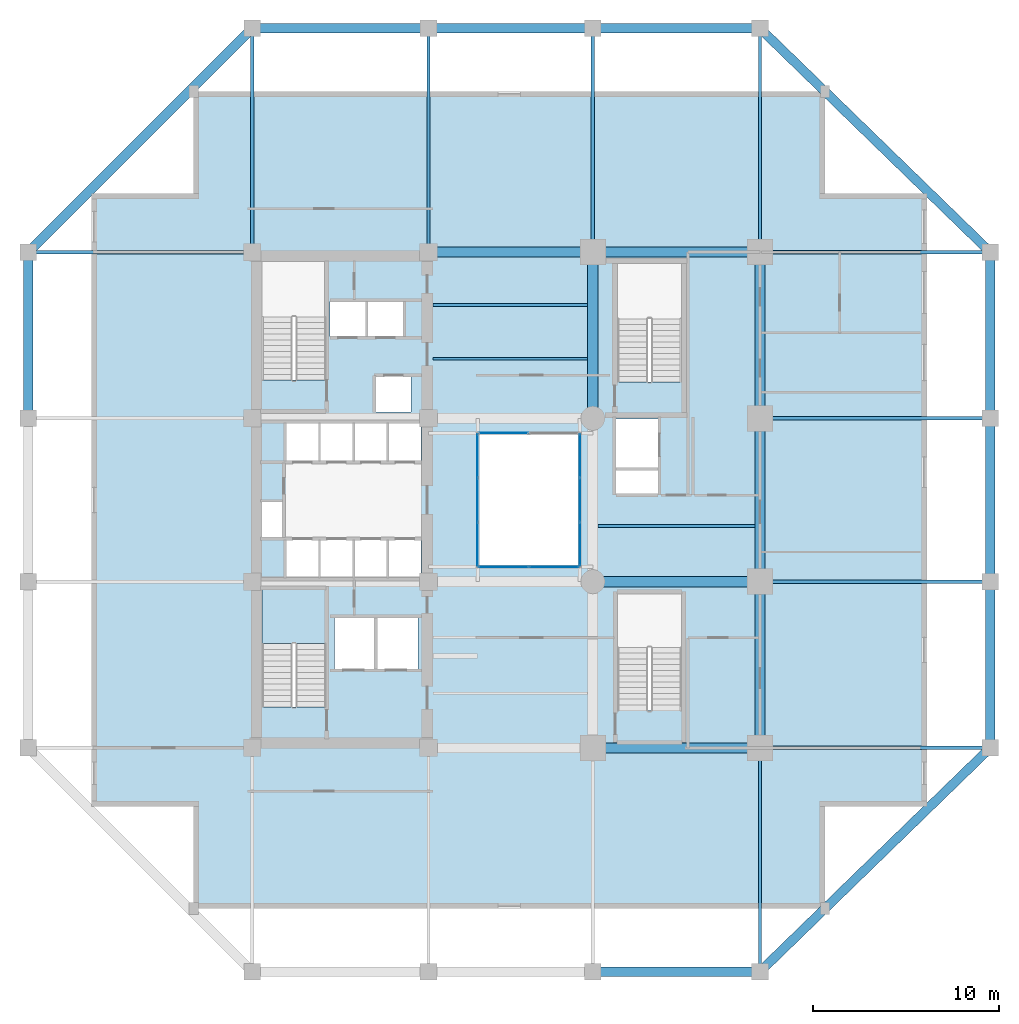
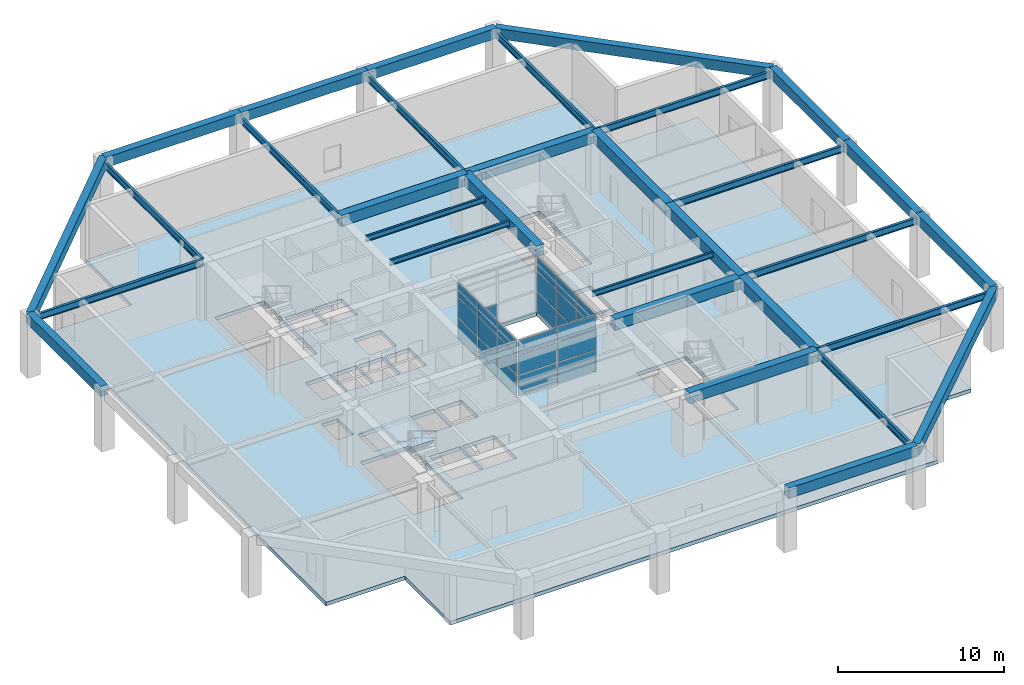
# One storey, part 5 of 10: 32 beams, 25 plates, 2 slabs, 5 elements without a shape of their own.
"""IFC4 building model written with IfcOpenShell, lengths in metres."""

import ifcopenshell
import ifcopenshell.guid

model = None  # the IFC model being written
_history = None  # IfcOwnerHistory: only IFC2X3 demands one
_inside = {}  # id of a spatial element -> (the spatial element, [elements in it])
_under = {}  # id of a project, library or spatial element -> (it, [spatial elements below it])
_declared = {}  # id of a project -> (the project, [libraries it declares])
_typed = {}  # id of a type object -> (the type object, [elements of that type])
_made_of = {}  # id of a material, layer set ... -> (it, [elements and type objects made of it])


def new_model(schema):
    """Start an empty IFC model of exactly this schema.

    Asked for "IFC4X3", IfcOpenShell would pick the latest addendum, in which some entities
    have other attributes; the version numbers below select the first issue.
    IFC2X3 requires an IfcOwnerHistory on every rooted entity: one is made here for all.
    """
    global model, _history
    if schema == "IFC4X3":
        model = ifcopenshell.file(schema_version=(4, 3, 0, 0))
    else:
        model = ifcopenshell.file(schema=schema)
    _inside.clear()
    _under.clear()
    _declared.clear()
    _typed.clear()
    _made_of.clear()
    _history = None
    if model.schema == "IFC2X3":
        org = make("IfcOrganization", Name="unknown")
        user = make(
            "IfcPersonAndOrganization",
            ThePerson=make("IfcPerson", FamilyName="unknown"),
            TheOrganization=org,
        )
        app = make(
            "IfcApplication",
            ApplicationDeveloper=org,
            Version="unknown",
            ApplicationFullName="unknown",
            ApplicationIdentifier="unknown",
        )
        _history = make(
            "IfcOwnerHistory",
            OwningUser=user,
            OwningApplication=app,
            ChangeAction="ADDED",
            CreationDate=0,
        )
    return model


def make(cls, **values):
    """One entity of the class cls with the attributes given. An attribute that is None is left unset."""
    return model.create_entity(
        cls, **{name: value for name, value in values.items() if value is not None}
    )


def rooted(cls, **values):
    """An entity with a GlobalId (a new one), such as an element, a storey or a relation."""
    return make(cls, GlobalId=ifcopenshell.guid.new(), OwnerHistory=_history, **values)


def si_unit(unit_type, name, prefix=None):
    """IfcSIUnit, for example si_unit("LENGTHUNIT", "METRE", prefix="MILLI")."""
    return make("IfcSIUnit", UnitType=unit_type, Prefix=prefix, Name=name)


def assignment(units):
    """IfcUnitAssignment: the units of a project."""
    return None if units is None else make("IfcUnitAssignment", Units=units)


def point(xyz):
    """IfcCartesianPoint."""
    return None if xyz is None else make("IfcCartesianPoint", Coordinates=xyz)


def direction(xyz):
    """IfcDirection."""
    return None if xyz is None else make("IfcDirection", DirectionRatios=xyz)


def frame(location, z_axis=None, x_axis=None):
    """IfcAxis2Placement3D, a coordinate frame: its origin and axes. An axis left out is left unset."""
    return make(
        "IfcAxis2Placement3D",
        Location=point(location),
        Axis=direction(z_axis),
        RefDirection=direction(x_axis),
    )


def frame_2d(location, x_axis=None):
    """IfcAxis2Placement2D, a coordinate frame in the plane: its origin and x axis."""
    return make(
        "IfcAxis2Placement2D", Location=point(location), RefDirection=direction(x_axis)
    )


def origin():
    """The frame at (0, 0, 0) with its axes left unset."""
    return frame((0.0, 0.0, 0.0))


def origin_2d():
    """The frame at (0, 0) in the plane with its x axis left unset."""
    return frame_2d((0.0, 0.0))


def place(relative_to, where):
    """IfcLocalPlacement: puts the frame where relative to a parent placement (None: the world)."""
    return make(
        "IfcLocalPlacement", PlacementRelTo=relative_to, RelativePlacement=where
    )


def context(
    kind, dimensions, precision=None, world=None, true_north=None, identifier=None
):
    """IfcGeometricRepresentationContext, for example the 3D "Model" context."""
    return make(
        "IfcGeometricRepresentationContext",
        ContextIdentifier=identifier,
        ContextType=kind,
        CoordinateSpaceDimension=dimensions,
        Precision=precision,
        WorldCoordinateSystem=world,
        TrueNorth=true_north,
    )


def subcontext(parent, identifier, kind, view, scale=None):
    """IfcGeometricRepresentationSubContext, for example "Body" below "Model"."""
    return make(
        "IfcGeometricRepresentationSubContext",
        ContextIdentifier=identifier,
        ContextType=kind,
        ParentContext=parent,
        TargetScale=scale,
        TargetView=view,
    )


def project(units=None, contexts=None):
    """IfcProject with its units and contexts."""
    return rooted(
        "IfcProject",
        Name="project",
        RepresentationContexts=contexts,
        UnitsInContext=assignment(units),
    )


def spatial(cls, under=None, at=None, **own):
    """A site, building, storey or space (cls), placed at a placement, below another one or the project."""
    s = rooted(cls, ObjectPlacement=at, **own)
    if under is not None:
        _under.setdefault(under.id(), (under, []))[1].append(s)
    return s


def polyline(points):
    """IfcPolyline through the points."""
    return make("IfcPolyline", Points=[point(p) for p in points])


def profile(cls, at=None, kind="AREA", **sizes):
    """A parametric profile (cls). Its sizes go by their IFC names, for example OverallWidth=200.0."""
    return make(cls, ProfileType=kind, Position=at, **sizes)


def rectangle(**sizes):
    """IfcRectangleProfileDef."""
    return profile("IfcRectangleProfileDef", **sizes)


def i_section(**sizes):
    """IfcIShapeProfileDef."""
    return profile("IfcIShapeProfileDef", **sizes)


def outline(outer, holes=None, kind="AREA"):
    """IfcArbitraryClosedProfileDef: a profile drawn as a closed curve; with holes, ...WithVoids."""
    if holes is None:
        return make("IfcArbitraryClosedProfileDef", ProfileType=kind, OuterCurve=outer)
    return make(
        "IfcArbitraryProfileDefWithVoids",
        ProfileType=kind,
        OuterCurve=outer,
        InnerCurves=holes,
    )


def extrude(swept, where, along, depth):
    """IfcExtrudedAreaSolid: the profile swept, set in the frame where, extruded along a direction by depth."""
    return make(
        "IfcExtrudedAreaSolid",
        SweptArea=swept,
        Position=where,
        ExtrudedDirection=direction(along),
        Depth=depth,
    )


def shape(context_of_items, identifier, shape_type, items):
    """IfcShapeRepresentation: the items that make up one representation, for example the "Body"."""
    return make(
        "IfcShapeRepresentation",
        ContextOfItems=context_of_items,
        RepresentationIdentifier=identifier,
        RepresentationType=shape_type,
        Items=items,
    )


def material(Name=None, Category=None):
    """IfcMaterial."""
    return make("IfcMaterial", Name=Name, Category=Category)


def layer(
    of_material, thickness, ventilated=None, Name=None, Category=None, Priority=None
):
    """IfcMaterialLayer: one layer of a wall or slab, of a material (None: an air gap)."""
    return make(
        "IfcMaterialLayer",
        Material=of_material,
        LayerThickness=thickness,
        IsVentilated=ventilated,
        Name=Name,
        Category=Category,
        Priority=Priority,
    )


def layer_set(layers, Name=None):
    """IfcMaterialLayerSet."""
    return make("IfcMaterialLayerSet", MaterialLayers=layers, LayerSetName=Name)


def material_profile(
    of_material, cross_section, Name=None, Category=None, Priority=None
):
    """IfcMaterialProfile: a cross section and its material."""
    return make(
        "IfcMaterialProfile",
        Name=Name,
        Material=of_material,
        Profile=cross_section,
        Priority=Priority,
        Category=Category,
    )


def profile_set(profiles, Name=None, composite=None):
    """IfcMaterialProfileSet."""
    return make(
        "IfcMaterialProfileSet",
        Name=Name,
        MaterialProfiles=profiles,
        CompositeProfile=composite,
    )


def made_of(thing, what):
    """Note that an element or type object is made of a material, layer set ...; save() writes the relation."""
    if what is not None:
        _made_of.setdefault(what.id(), (what, []))[1].append(thing)
    return thing


def type_object(cls, material=None, **own):
    """A type object (cls), such as IfcWallType, which elements share."""
    return made_of(rooted(cls, **own), material)


def element(
    cls,
    number,
    at=None,
    inside=None,
    cuts=None,
    type_object=None,
    material=None,
    context=None,
    identifier="Body",
    shape_type=None,
    held_by="IfcProductDefinitionShape",
    body=None,
    shapes=None,
    **own,
):
    """One element of the class cls, such as IfcWall. Its Tag is "e" and its number.

    at: its placement. inside: the storey or other place that contains it. cuts: it is an
    opening in that element (IfcRelVoidsElement). A single representation is given by context,
    identifier, shape_type and body (its items); several are given by shapes. held_by: the class
    of the entity that holds the representations. save() writes the other relations.
    """
    e = rooted(cls, Tag="e%d" % number, ObjectPlacement=at, **own)
    if body is not None:
        shapes = [shape(context, identifier, shape_type, body)]
    if shapes is not None:
        e.Representation = make(held_by, Representations=shapes)
    if inside is not None:
        _inside.setdefault(inside.id(), (inside, []))[1].append(e)
    if cuts is not None:
        rooted(
            "IfcRelVoidsElement", RelatingBuildingElement=cuts, RelatedOpeningElement=e
        )
    if type_object is not None:
        _typed.setdefault(type_object.id(), (type_object, []))[1].append(e)
    return made_of(e, material)


def aggregate(whole, parts):
    """IfcRelAggregates: a whole, such as a stair, and the parts it consists of."""
    return rooted("IfcRelAggregates", RelatingObject=whole, RelatedObjects=parts)


def save(model, path):
    """Write the relations noted so far, then the file.

    IfcRelAggregates (storeys below a building ...), IfcRelContainedInSpatialStructure (elements
    in a storey), IfcRelDefinesByType, IfcRelAssociatesMaterial and IfcRelDeclares: one each for
    every whole, place, type object, material and project.
    """
    for whole, parts in _under.values():
        aggregate(whole, parts)
    for where, things in _inside.values():
        rooted(
            "IfcRelContainedInSpatialStructure",
            RelatedElements=things,
            RelatingStructure=where,
        )
    for kind, things in _typed.values():
        rooted("IfcRelDefinesByType", RelatedObjects=things, RelatingType=kind)
    for what, things in _made_of.values():
        rooted("IfcRelAssociatesMaterial", RelatedObjects=things, RelatingMaterial=what)
    for by, libraries in _declared.values():
        rooted("IfcRelDeclares", RelatingContext=by, RelatedDefinitions=libraries)
    model.write(path)


model = new_model("IFC4")

# Units and contexts
model_context = context("Model", 3, precision=1e-05, world=origin(), true_north=direction((0.0, 1.0)))
body_context = subcontext(model_context, "Body", "Model", "MODEL_VIEW")
ifc_project = project(units=[si_unit("LENGTHUNIT", "METRE"), si_unit("AREAUNIT", "SQUARE_METRE"), si_unit("VOLUMEUNIT", "CUBIC_METRE"), si_unit("PLANEANGLEUNIT", "RADIAN"), si_unit("MASSUNIT", "GRAM", prefix="KILO")], contexts=[model_context])

# Site, building, storey
site_placement = place(None, origin())
site = spatial("IfcSite", under=ifc_project, at=site_placement, CompositionType="ELEMENT")
building_placement = place(site_placement, origin())
building = spatial("IfcBuilding", under=site, at=building_placement, Name="Kundavana Baori Tower", CompositionType="ELEMENT")
storey_placement = place(building_placement, frame((0.0, 0.0, 12.5)))
storey = spatial("IfcBuildingStorey", under=building, at=storey_placement, Name="L02", CompositionType="ELEMENT", Elevation=12.5)

# Beams
ifc_material_1 = material(Name="Structural Steel S355JR", Category="steel")
ifc_material_profile_1 = material_profile(ifc_material_1, i_section(OverallWidth=0.139892578125, OverallDepth=0.39990234375, WebThickness=0.0087890625, FlangeThickness=0.01611328125, FilletRadius=0.013916015625, at=origin_2d()), Name="ISMB 400")
ifc_profile_set_1 = profile_set([ifc_material_profile_1], Name="Structural Steel S355JR")
beam_type_1 = type_object("IfcBeamType", Name="BM-JST-400", PredefinedType="JOIST", material=ifc_profile_set_1)
for number, where, z_axis, x_axis, name in (
    (1, (25.179931640625, 36.199951171875, 4.02001953125), (1.0, 0.0, 0.0), (0.0, 1.0, 0.0), "L02 Central Bay Composite Floor Joist C3"),
    (2, (25.179931640625, 39.10009765625, 4.02001953125), (1.0, 0.0, 0.0), (0.0, 1.0, 0.0), "L02 Central Bay Composite Floor Joist C4"),
):
    element("IfcBeam", number, at=place(storey_placement, frame(where, z_axis=z_axis, x_axis=x_axis)), inside=storey, type_object=beam_type_1, Name=name, PredefinedType="JOIST", context=body_context, shape_type="SweptSolid", body=[
        extrude(i_section(OverallWidth=0.139892578125, OverallDepth=0.39990234375, WebThickness=0.0087890625, FlangeThickness=0.01611328125, FilletRadius=0.013916015625, at=origin_2d()), origin(), (0.0, 0.0, 1.0), 8.344970703125),
    ])
beam_1_placement = place(storey_placement, frame((34.074951171875, 27.199951171875, 4.02001953125), z_axis=(1.0, 0.0, 0.0), x_axis=(0.0, 1.0, 0.0)))
element("IfcBeam", 3, at=beam_1_placement, inside=storey, type_object=beam_type_1, Name="L02 East Bay Composite Floor Joist E3", PredefinedType="JOIST", context=body_context, shape_type="SweptSolid", body=[
    extrude(i_section(OverallWidth=0.139892578125, OverallDepth=0.39990234375, WebThickness=0.0087890625, FlangeThickness=0.01611328125, FilletRadius=0.013916015625, at=origin_2d()), origin(), (0.0, 0.0, 1.0), 8.449951171875),
])
ifc_material_2 = material(Name="Concrete C50/60", Category="concrete")
ifc_material_profile_2 = material_profile(ifc_material_2, rectangle(XDim=0.5, YDim=0.75, at=origin_2d()), Name="RC BM 500x750")
ifc_profile_set_2 = profile_set([ifc_material_profile_2], Name="Concrete C50/60")
beam_type_2 = type_object("IfcBeamType", Name="BM-PF-750", PredefinedType="SPANDREL", material=ifc_profile_set_2)
beam_2_placement = place(storey_placement, frame((33.800048828125, 3.199951171875, 4.125), z_axis=(1.0, 0.0, 0.0), x_axis=(0.0, 1.0, 0.0)))
element("IfcBeam", 4, at=beam_2_placement, inside=storey, type_object=beam_type_2, Name="L02 Perimeter Frame Ring Beam S3", PredefinedType="SPANDREL", context=body_context, shape_type="SweptSolid", body=[
    extrude(rectangle(XDim=0.5, YDim=0.75, at=origin_2d()), origin(), (0.0, 0.0, 1.0), 9.0),
])
beam_3_placement = place(storey_placement, frame((15.449951171875, 54.0, 4.125), z_axis=(1.0, 0.0, 0.0), x_axis=(0.0, 1.0, 0.0)))
element("IfcBeam", 5, at=beam_3_placement, inside=storey, type_object=beam_type_2, Name="L02 Perimeter Frame Ring Beam N1", PredefinedType="SPANDREL", context=body_context, shape_type="SweptSolid", body=[
    extrude(rectangle(XDim=0.5, YDim=0.75, at=origin_2d()), origin(), (0.0, 0.0, 1.0), 9.5),
])
beam_4_placement = place(storey_placement, frame((24.949951171875, 54.0, 4.125), z_axis=(1.0, 0.0, 0.0), x_axis=(0.0, 1.0, 0.0)))
element("IfcBeam", 6, at=beam_4_placement, inside=storey, type_object=beam_type_2, Name="L02 Perimeter Frame Ring Beam N2", PredefinedType="SPANDREL", context=body_context, shape_type="SweptSolid", body=[
    extrude(rectangle(XDim=0.5, YDim=0.75, at=origin_2d()), origin(), (0.0, 0.0, 1.0), 8.85009765625),
])
beam_5_placement = place(storey_placement, frame((33.800048828125, 54.0, 4.125), z_axis=(1.0, 0.0, 0.0), x_axis=(0.0, 1.0, 0.0)))
element("IfcBeam", 7, at=beam_5_placement, inside=storey, type_object=beam_type_2, Name="L02 Perimeter Frame Ring Beam N3", PredefinedType="SPANDREL", context=body_context, shape_type="SweptSolid", body=[
    extrude(rectangle(XDim=0.5, YDim=0.75, at=origin_2d()), origin(), (0.0, 0.0, 1.0), 9.0),
])
for number, where, z_axis, x_axis, name in (
    (8, (3.39990234375, 33.0, 4.125), (0.0, 1.0, 0.0), (-1.0, 0.0, 0.0), "L02 Perimeter Frame Ring Beam W3"),
    (9, (55.199951171875, 15.25, 4.125), (0.0, 1.0, 0.0), (-1.0, 0.0, 0.0), "L02 Perimeter Frame Ring Beam E1"),
):
    element("IfcBeam", number, at=place(storey_placement, frame(where, z_axis=z_axis, x_axis=x_axis)), inside=storey, type_object=beam_type_2, Name=name, PredefinedType="SPANDREL", context=body_context, shape_type="SweptSolid", body=[
        extrude(rectangle(XDim=0.5, YDim=0.75, at=origin_2d()), origin(), (0.0, 0.0, 1.0), 8.949951171875),
    ])
beam_6_placement = place(storey_placement, frame((55.199951171875, 24.199951171875, 4.125), z_axis=(0.0, 1.0, 0.0), x_axis=(-1.0, 0.0, 0.0)))
element("IfcBeam", 10, at=beam_6_placement, inside=storey, type_object=beam_type_2, Name="L02 Perimeter Frame Ring Beam E2", PredefinedType="SPANDREL", context=body_context, shape_type="SweptSolid", body=[
    extrude(rectangle(XDim=0.5, YDim=0.75, at=origin_2d()), origin(), (0.0, 0.0, 1.0), 8.800048828125),
])
beam_7_placement = place(storey_placement, frame((55.199951171875, 33.0, 4.125), z_axis=(0.0, 1.0, 0.0), x_axis=(-1.0, 0.0, 0.0)))
element("IfcBeam", 11, at=beam_7_placement, inside=storey, type_object=beam_type_2, Name="L02 Perimeter Frame Ring Beam E3", PredefinedType="SPANDREL", context=body_context, shape_type="SweptSolid", body=[
    extrude(rectangle(XDim=0.5, YDim=0.75, at=origin_2d()), origin(), (0.0, 0.0, 1.0), 8.949951171875),
])
beam_8_placement = place(storey_placement, frame((42.800048828125, 3.199951171875, 4.125), z_axis=(0.717151334594, 0.696917472367, 0.0), x_axis=(-0.696917472367, 0.717151334594, 0.0)))
element("IfcBeam", 12, at=beam_8_placement, inside=storey, type_object=beam_type_2, Name="L02 Notched Corner Perimeter Beam SE", PredefinedType="SPANDREL", context=body_context, shape_type="SweptSolid", body=[
    extrude(rectangle(XDim=0.5, YDim=0.75, at=origin_2d()), origin(), (0.0, 0.0, 1.0), 17.29052734375),
])
beam_9_placement = place(storey_placement, frame((15.449951171875, 54.0, 4.125), z_axis=(-0.707106781187, -0.707106781187, 0.0), x_axis=(0.707106781187, -0.707106781187, 0.0)))
element("IfcBeam", 13, at=beam_9_placement, inside=storey, type_object=beam_type_2, Name="L02 Notched Corner Perimeter Beam NW", PredefinedType="SPANDREL", context=body_context, shape_type="SweptSolid", body=[
    extrude(rectangle(XDim=0.5, YDim=0.75, at=origin_2d()), origin(), (0.0, 0.0, 1.0), 17.041259765625),
])
beam_10_placement = place(storey_placement, frame((42.800048828125, 54.0, 4.125), z_axis=(0.717151334594, -0.696917472367, 0.0), x_axis=(0.696917472367, 0.717151334594, 0.0)))
element("IfcBeam", 14, at=beam_10_placement, inside=storey, type_object=beam_type_2, Name="L02 Notched Corner Perimeter Beam NE", PredefinedType="SPANDREL", context=body_context, shape_type="SweptSolid", body=[
    extrude(rectangle(XDim=0.5, YDim=0.75, at=origin_2d()), origin(), (0.0, 0.0, 1.0), 17.29052734375),
])
ifc_material_3 = material(Name="Concrete C50/60", Category="concrete")
ifc_material_profile_3 = material_profile(ifc_material_3, rectangle(XDim=0.550048828125, YDim=0.800048828125, at=origin_2d()), Name="RC BM 550x800")
ifc_profile_set_3 = profile_set([ifc_material_profile_3], Name="Concrete C50/60")
beam_type_3 = type_object("IfcBeamType", Name="BM-RC-800", PredefinedType="BEAM", material=ifc_profile_set_3)
for number, where, z_axis, x_axis, name in (
    (15, (33.800048828125, 15.25, 3.820068359375), (1.0, 0.0, 0.0), (0.0, 1.0, 0.0), "L02 Primary Grid Girder GX-1-3"),
    (16, (33.800048828125, 24.199951171875, 3.820068359375), (1.0, 0.0, 0.0), (0.0, 1.0, 0.0), "L02 Primary Grid Girder GX-2-3"),
):
    element("IfcBeam", number, at=place(storey_placement, frame(where, z_axis=z_axis, x_axis=x_axis)), inside=storey, type_object=beam_type_3, Name=name, PredefinedType="BEAM", context=body_context, shape_type="SweptSolid", body=[
        extrude(rectangle(XDim=0.550048828125, YDim=0.800048828125, at=origin_2d()), origin(), (0.0, 0.0, 1.0), 9.0),
    ])
beam_11_placement = place(storey_placement, frame((24.949951171875, 41.949951171875, 3.820068359375), z_axis=(1.0, 0.0, 0.0), x_axis=(0.0, 1.0, 0.0)))
element("IfcBeam", 17, at=beam_11_placement, inside=storey, type_object=beam_type_3, Name="L02 Primary Grid Girder GX-4-2", PredefinedType="BEAM", context=body_context, shape_type="SweptSolid", body=[
    extrude(rectangle(XDim=0.550048828125, YDim=0.800048828125, at=origin_2d()), origin(), (0.0, 0.0, 1.0), 8.85009765625),
])
beam_12_placement = place(storey_placement, frame((33.800048828125, 41.949951171875, 3.820068359375), z_axis=(1.0, 0.0, 0.0), x_axis=(0.0, 1.0, 0.0)))
element("IfcBeam", 18, at=beam_12_placement, inside=storey, type_object=beam_type_3, Name="L02 Primary Grid Girder GX-4-3", PredefinedType="BEAM", context=body_context, shape_type="SweptSolid", body=[
    extrude(rectangle(XDim=0.550048828125, YDim=0.800048828125, at=origin_2d()), origin(), (0.0, 0.0, 1.0), 9.0),
])
for number, where, z_axis, x_axis, name in (
    (19, (33.800048828125, 33.0, 3.820068359375), (0.0, 1.0, 0.0), (-1.0, 0.0, 0.0), "L02 Primary Grid Girder GY-3-3"),
    (20, (42.800048828125, 15.25, 3.820068359375), (0.0, 1.0, 0.0), (-1.0, 0.0, 0.0), "L02 Primary Grid Girder GY-4-1"),
):
    element("IfcBeam", number, at=place(storey_placement, frame(where, z_axis=z_axis, x_axis=x_axis)), inside=storey, type_object=beam_type_3, Name=name, PredefinedType="BEAM", context=body_context, shape_type="SweptSolid", body=[
        extrude(rectangle(XDim=0.550048828125, YDim=0.800048828125, at=origin_2d()), origin(), (0.0, 0.0, 1.0), 8.949951171875),
    ])
beam_13_placement = place(storey_placement, frame((42.800048828125, 24.199951171875, 3.820068359375), z_axis=(0.0, 1.0, 0.0), x_axis=(-1.0, 0.0, 0.0)))
element("IfcBeam", 21, at=beam_13_placement, inside=storey, type_object=beam_type_3, Name="L02 Primary Grid Girder GY-4-2", PredefinedType="BEAM", context=body_context, shape_type="SweptSolid", body=[
    extrude(rectangle(XDim=0.550048828125, YDim=0.800048828125, at=origin_2d()), origin(), (0.0, 0.0, 1.0), 8.800048828125),
])
beam_14_placement = place(storey_placement, frame((42.800048828125, 33.0, 3.820068359375), z_axis=(0.0, 1.0, 0.0), x_axis=(-1.0, 0.0, 0.0)))
element("IfcBeam", 22, at=beam_14_placement, inside=storey, type_object=beam_type_3, Name="L02 Primary Grid Girder GY-4-3", PredefinedType="BEAM", context=body_context, shape_type="SweptSolid", body=[
    extrude(rectangle(XDim=0.550048828125, YDim=0.800048828125, at=origin_2d()), origin(), (0.0, 0.0, 1.0), 8.949951171875),
])
ifc_material_4 = material(Name="Structural Steel S355JR", Category="steel")
ifc_material_profile_4 = material_profile(ifc_material_4, i_section(OverallWidth=0.179931640625, OverallDepth=0.5, WebThickness=0.01025390625, FlangeThickness=0.01708984375, FilletRadius=0.01708984375, at=origin_2d()), Name="ISMB 500")
ifc_profile_set_4 = profile_set([ifc_material_profile_4], Name="Structural Steel S355JR")
beam_type_4 = type_object("IfcBeamType", Name="BM-TIE-500", PredefinedType="BEAM", material=ifc_profile_set_4)
for number, where, z_axis, x_axis, name in (
    (23, (15.449951171875, 41.949951171875, 3.969970703125), (0.0, 1.0, 0.0), (-1.0, 0.0, 0.0), "L02 North Radial Loggia Tie Beam N1"),
    (24, (24.949951171875, 41.949951171875, 3.969970703125), (0.0, 1.0, 0.0), (-1.0, 0.0, 0.0), "L02 North Radial Loggia Tie Beam N2"),
    (25, (33.800048828125, 41.949951171875, 3.969970703125), (0.0, 1.0, 0.0), (-1.0, 0.0, 0.0), "L02 North Radial Loggia Tie Beam N3"),
    (26, (42.800048828125, 15.25, 3.969970703125), (0.0, -1.0, 0.0), (1.0, 0.0, 0.0), "L02 South Radial Loggia Tie Beam S4"),
    (27, (42.800048828125, 41.949951171875, 3.969970703125), (0.0, 1.0, 0.0), (-1.0, 0.0, 0.0), "L02 North Radial Loggia Tie Beam N4"),
):
    element("IfcBeam", number, at=place(storey_placement, frame(where, z_axis=z_axis, x_axis=x_axis)), inside=storey, type_object=beam_type_4, Name=name, PredefinedType="BEAM", context=body_context, shape_type="SweptSolid", body=[
        extrude(i_section(OverallWidth=0.179931640625, OverallDepth=0.5, WebThickness=0.01025390625, FlangeThickness=0.01708984375, FilletRadius=0.01708984375, at=origin_2d()), origin(), (0.0, 0.0, 1.0), 12.050048828125),
    ])
for number, where, z_axis, x_axis, name in (
    (28, (42.800048828125, 15.25, 3.969970703125), (1.0, 0.0, 0.0), (0.0, 1.0, 0.0), "L02 East Radial Loggia Tie Beam E1"),
    (29, (42.800048828125, 24.199951171875, 3.969970703125), (1.0, 0.0, 0.0), (0.0, 1.0, 0.0), "L02 East Radial Loggia Tie Beam E2"),
    (30, (42.800048828125, 33.0, 3.969970703125), (1.0, 0.0, 0.0), (0.0, 1.0, 0.0), "L02 East Radial Loggia Tie Beam E3"),
):
    element("IfcBeam", number, at=place(storey_placement, frame(where, z_axis=z_axis, x_axis=x_axis)), inside=storey, type_object=beam_type_4, Name=name, PredefinedType="BEAM", context=body_context, shape_type="SweptSolid", body=[
        extrude(i_section(OverallWidth=0.179931640625, OverallDepth=0.5, WebThickness=0.01025390625, FlangeThickness=0.01708984375, FilletRadius=0.01708984375, at=origin_2d()), origin(), (0.0, 0.0, 1.0), 12.39990234375),
    ])
beam_15_placement = place(storey_placement, frame((15.449951171875, 41.949951171875, 3.969970703125), z_axis=(-1.0, 0.0, 0.0), x_axis=(0.0, -1.0, 0.0)))
element("IfcBeam", 31, at=beam_15_placement, inside=storey, type_object=beam_type_4, Name="L02 West Radial Loggia Tie Beam W4", PredefinedType="BEAM", context=body_context, shape_type="SweptSolid", body=[
    extrude(i_section(OverallWidth=0.179931640625, OverallDepth=0.5, WebThickness=0.01025390625, FlangeThickness=0.01708984375, FilletRadius=0.01708984375, at=origin_2d()), origin(), (0.0, 0.0, 1.0), 12.050048828125),
])
beam_16_placement = place(storey_placement, frame((42.800048828125, 41.949951171875, 3.969970703125), z_axis=(1.0, 0.0, 0.0), x_axis=(0.0, 1.0, 0.0)))
element("IfcBeam", 32, at=beam_16_placement, inside=storey, type_object=beam_type_4, Name="L02 East Radial Loggia Tie Beam E4", PredefinedType="BEAM", context=body_context, shape_type="SweptSolid", body=[
    extrude(i_section(OverallWidth=0.179931640625, OverallDepth=0.5, WebThickness=0.01025390625, FlangeThickness=0.01708984375, FilletRadius=0.01708984375, at=origin_2d()), origin(), (0.0, 0.0, 1.0), 12.39990234375),
])

# Curtain wall, plates
ifc_material_5 = material(Name="Thermally Broken Anodised Aluminium Framing", Category="aluminium")
ifc_layer_1 = layer(ifc_material_5, 0.159912109375, Name="CW-SYS-1")
ifc_layer_set_1 = layer_set([ifc_layer_1], Name="Thermally Broken Anodised Aluminium Framing")
curtain_wall_type = type_object("IfcCurtainWallType", Name="CW-SYS-1", PredefinedType="NOTDEFINED", material=ifc_layer_set_1)
curtain_wall_1_placement = place(storey_placement, origin())
curtain_wall_1 = element("IfcCurtainWall", 33, at=curtain_wall_1_placement, inside=storey, type_object=curtain_wall_type, Name="L02 Atrium Glazed Curtain Wall S", PredefinedType="NOTDEFINED")
ifc_material_6 = material(Name="Double-Glazed Solar-Control Low-E Insulated Glass", Category="glass")
ifc_layer_2 = layer(ifc_material_6, 0.028076171875, Name="CW-PNL-GLS28")
ifc_layer_set_2 = layer_set([ifc_layer_2], Name="Double-Glazed Solar-Control Low-E Insulated Glass")
plate_type = type_object("IfcPlateType", Name="CW-PNL-GLS28", PredefinedType="CURTAIN_PANEL", material=ifc_layer_set_2)
plate_1_placement = place(storey_placement, frame((28.9912109375, 25.0, 0.06494140625), z_axis=(0.0, 0.0, 1.0), x_axis=(1.0, 0.0, 0.0)))
plate_1 = element("IfcPlate", 34, at=plate_1_placement, type_object=plate_type, Name="CW1 panel 1.1", PredefinedType="CURTAIN_PANEL", context=body_context, shape_type="SweptSolid", body=[
    extrude(rectangle(XDim=2.652587890625, YDim=0.028076171875, at=origin_2d()), origin(), (0.0, 0.0, 1.0), 1.506103515625),
])
plate_2_placement = place(storey_placement, frame((28.9912109375, 25.0, 1.63623046875), z_axis=(0.0, 0.0, 1.0), x_axis=(1.0, 0.0, 0.0)))
plate_2 = element("IfcPlate", 35, at=plate_2_placement, type_object=plate_type, Name="CW1 panel 1.2", PredefinedType="CURTAIN_PANEL", context=body_context, shape_type="SweptSolid", body=[
    extrude(rectangle(XDim=2.652587890625, YDim=0.028076171875, at=origin_2d()), origin(), (0.0, 0.0, 1.0), 1.4541015625),
])
plate_3_placement = place(storey_placement, frame((28.9912109375, 25.0, 3.1552734375), z_axis=(0.0, 0.0, 1.0), x_axis=(1.0, 0.0, 0.0)))
plate_3 = element("IfcPlate", 36, at=plate_3_placement, type_object=plate_type, Name="CW1 panel 1.3", PredefinedType="CURTAIN_PANEL", context=body_context, shape_type="SweptSolid", body=[
    extrude(rectangle(XDim=2.652587890625, YDim=0.028076171875, at=origin_2d()), origin(), (0.0, 0.0, 1.0), 0.999755859375),
])
plate_4_placement = place(storey_placement, frame((31.708740234375, 25.0, 0.06494140625), z_axis=(0.0, 0.0, 1.0), x_axis=(1.0, 0.0, 0.0)))
plate_4 = element("IfcPlate", 37, at=plate_4_placement, type_object=plate_type, Name="CW1 panel 2.1", PredefinedType="CURTAIN_PANEL", context=body_context, shape_type="SweptSolid", body=[
    extrude(rectangle(XDim=2.652587890625, YDim=0.028076171875, at=origin_2d()), origin(), (0.0, 0.0, 1.0), 1.506103515625),
])
plate_5_placement = place(storey_placement, frame((31.708740234375, 25.0, 1.63623046875), z_axis=(0.0, 0.0, 1.0), x_axis=(1.0, 0.0, 0.0)))
plate_5 = element("IfcPlate", 38, at=plate_5_placement, type_object=plate_type, Name="CW1 panel 2.2", PredefinedType="CURTAIN_PANEL", context=body_context, shape_type="SweptSolid", body=[
    extrude(rectangle(XDim=2.652587890625, YDim=0.028076171875, at=origin_2d()), origin(), (0.0, 0.0, 1.0), 1.4541015625),
])
plate_6_placement = place(storey_placement, frame((31.708740234375, 25.0, 3.1552734375), z_axis=(0.0, 0.0, 1.0), x_axis=(1.0, 0.0, 0.0)))
plate_6 = element("IfcPlate", 39, at=plate_6_placement, type_object=plate_type, Name="CW1 panel 2.3", PredefinedType="CURTAIN_PANEL", context=body_context, shape_type="SweptSolid", body=[
    extrude(rectangle(XDim=2.652587890625, YDim=0.028076171875, at=origin_2d()), origin(), (0.0, 0.0, 1.0), 0.999755859375),
])
aggregate(curtain_wall_1, [plate_1, plate_2, plate_3, plate_4, plate_5, plate_6])

curtain_wall_2_placement = place(storey_placement, origin())
curtain_wall_2 = element("IfcCurtainWall", 40, at=curtain_wall_2_placement, inside=storey, type_object=curtain_wall_type, Name="L02 Atrium Glazed Curtain Wall E", PredefinedType="NOTDEFINED")
plate_7_placement = place(storey_placement, frame((33.10009765625, 26.21630859375, 0.06494140625), z_axis=(0.0, 0.0, 1.0), x_axis=(0.0, 1.0, 0.0)))
plate_7 = element("IfcPlate", 41, at=plate_7_placement, type_object=plate_type, Name="CW1 panel 1.1", PredefinedType="CURTAIN_PANEL", context=body_context, shape_type="SweptSolid", body=[
    extrude(rectangle(XDim=2.302490234375, YDim=0.028076171875, at=origin_2d()), origin(), (0.0, 0.0, 1.0), 1.506103515625),
])
plate_8_placement = place(storey_placement, frame((33.10009765625, 26.21630859375, 1.63623046875), z_axis=(0.0, 0.0, 1.0), x_axis=(0.0, 1.0, 0.0)))
plate_8 = element("IfcPlate", 42, at=plate_8_placement, type_object=plate_type, Name="CW1 panel 1.2", PredefinedType="CURTAIN_PANEL", context=body_context, shape_type="SweptSolid", body=[
    extrude(rectangle(XDim=2.302490234375, YDim=0.028076171875, at=origin_2d()), origin(), (0.0, 0.0, 1.0), 1.4541015625),
])
plate_9_placement = place(storey_placement, frame((33.10009765625, 26.21630859375, 3.1552734375), z_axis=(0.0, 0.0, 1.0), x_axis=(0.0, 1.0, 0.0)))
plate_9 = element("IfcPlate", 43, at=plate_9_placement, type_object=plate_type, Name="CW1 panel 1.3", PredefinedType="CURTAIN_PANEL", context=body_context, shape_type="SweptSolid", body=[
    extrude(rectangle(XDim=2.302490234375, YDim=0.028076171875, at=origin_2d()), origin(), (0.0, 0.0, 1.0), 0.999755859375),
])
plate_10_placement = place(storey_placement, frame((33.10009765625, 28.60009765625, 0.06494140625), z_axis=(0.0, 0.0, 1.0), x_axis=(0.0, 1.0, 0.0)))
plate_10 = element("IfcPlate", 44, at=plate_10_placement, type_object=plate_type, Name="CW1 panel 2.1", PredefinedType="CURTAIN_PANEL", context=body_context, shape_type="SweptSolid", body=[
    extrude(rectangle(XDim=2.3349609375, YDim=0.028076171875, at=origin_2d()), origin(), (0.0, 0.0, 1.0), 1.506103515625),
])
plate_11_placement = place(storey_placement, frame((33.10009765625, 28.60009765625, 1.63623046875), z_axis=(0.0, 0.0, 1.0), x_axis=(0.0, 1.0, 0.0)))
plate_11 = element("IfcPlate", 45, at=plate_11_placement, type_object=plate_type, Name="CW1 panel 2.2", PredefinedType="CURTAIN_PANEL", context=body_context, shape_type="SweptSolid", body=[
    extrude(rectangle(XDim=2.3349609375, YDim=0.028076171875, at=origin_2d()), origin(), (0.0, 0.0, 1.0), 1.4541015625),
])
plate_12_placement = place(storey_placement, frame((33.10009765625, 28.60009765625, 3.1552734375), z_axis=(0.0, 0.0, 1.0), x_axis=(0.0, 1.0, 0.0)))
plate_12 = element("IfcPlate", 46, at=plate_12_placement, type_object=plate_type, Name="CW1 panel 2.3", PredefinedType="CURTAIN_PANEL", context=body_context, shape_type="SweptSolid", body=[
    extrude(rectangle(XDim=2.3349609375, YDim=0.028076171875, at=origin_2d()), origin(), (0.0, 0.0, 1.0), 0.999755859375),
])
plate_13_placement = place(storey_placement, frame((33.10009765625, 30.983642578125, 0.06494140625), z_axis=(0.0, 0.0, 1.0), x_axis=(0.0, 1.0, 0.0)))
plate_13 = element("IfcPlate", 47, at=plate_13_placement, type_object=plate_type, Name="CW1 panel 3.1", PredefinedType="CURTAIN_PANEL", context=body_context, shape_type="SweptSolid", body=[
    extrude(rectangle(XDim=2.302490234375, YDim=0.028076171875, at=origin_2d()), origin(), (0.0, 0.0, 1.0), 1.506103515625),
])
plate_14_placement = place(storey_placement, frame((33.10009765625, 30.983642578125, 1.63623046875), z_axis=(0.0, 0.0, 1.0), x_axis=(0.0, 1.0, 0.0)))
plate_14 = element("IfcPlate", 48, at=plate_14_placement, type_object=plate_type, Name="CW1 panel 3.2", PredefinedType="CURTAIN_PANEL", context=body_context, shape_type="SweptSolid", body=[
    extrude(rectangle(XDim=2.302490234375, YDim=0.028076171875, at=origin_2d()), origin(), (0.0, 0.0, 1.0), 1.4541015625),
])
plate_15_placement = place(storey_placement, frame((33.10009765625, 30.983642578125, 3.1552734375), z_axis=(0.0, 0.0, 1.0), x_axis=(0.0, 1.0, 0.0)))
plate_15 = element("IfcPlate", 49, at=plate_15_placement, type_object=plate_type, Name="CW1 panel 3.3", PredefinedType="CURTAIN_PANEL", context=body_context, shape_type="SweptSolid", body=[
    extrude(rectangle(XDim=2.302490234375, YDim=0.028076171875, at=origin_2d()), origin(), (0.0, 0.0, 1.0), 0.999755859375),
])
aggregate(curtain_wall_2, [plate_7, plate_8, plate_9, plate_10, plate_11, plate_12, plate_13, plate_14, plate_15])

# Curtain wall, plate
curtain_wall_3_placement = place(storey_placement, origin())
curtain_wall_3 = element("IfcCurtainWall", 50, at=curtain_wall_3_placement, inside=storey, type_object=curtain_wall_type, Name="L02 Atrium Glazed Curtain Wall N", PredefinedType="NOTDEFINED")
plate_16_placement = place(storey_placement, frame((28.9912109375, 32.199951171875, 0.06494140625), z_axis=(0.0, 0.0, 1.0), x_axis=(-1.0, 0.0, 0.0)))
plate_16 = element("IfcPlate", 51, at=plate_16_placement, type_object=plate_type, Name="CW1 panel 2.1", PredefinedType="CURTAIN_PANEL", context=body_context, shape_type="SweptSolid", body=[
    extrude(rectangle(XDim=2.652587890625, YDim=0.028076171875, at=origin_2d()), origin(), (0.0, 0.0, 1.0), 1.506103515625),
])
aggregate(curtain_wall_3, [plate_16])

# Curtain wall, plates
curtain_wall_4_placement = place(storey_placement, origin())
curtain_wall_4 = element("IfcCurtainWall", 52, at=curtain_wall_4_placement, inside=storey, type_object=curtain_wall_type, Name="L02 Atrium Glazed Curtain Wall W", PredefinedType="NOTDEFINED")
plate_17_placement = place(storey_placement, frame((27.60009765625, 30.983642578125, 0.06494140625), z_axis=(0.0, 0.0, 1.0), x_axis=(0.0, -1.0, 0.0)))
plate_17 = element("IfcPlate", 53, at=plate_17_placement, type_object=plate_type, Name="CW1 panel 1.1", PredefinedType="CURTAIN_PANEL", context=body_context, shape_type="SweptSolid", body=[
    extrude(rectangle(XDim=2.302490234375, YDim=0.028076171875, at=origin_2d()), origin(), (0.0, 0.0, 1.0), 1.506103515625),
])
plate_18_placement = place(storey_placement, frame((27.60009765625, 30.983642578125, 1.63623046875), z_axis=(0.0, 0.0, 1.0), x_axis=(0.0, -1.0, 0.0)))
plate_18 = element("IfcPlate", 54, at=plate_18_placement, type_object=plate_type, Name="CW1 panel 1.2", PredefinedType="CURTAIN_PANEL", context=body_context, shape_type="SweptSolid", body=[
    extrude(rectangle(XDim=2.302490234375, YDim=0.028076171875, at=origin_2d()), origin(), (0.0, 0.0, 1.0), 1.4541015625),
])
plate_19_placement = place(storey_placement, frame((27.60009765625, 30.983642578125, 3.1552734375), z_axis=(0.0, 0.0, 1.0), x_axis=(0.0, -1.0, 0.0)))
plate_19 = element("IfcPlate", 55, at=plate_19_placement, type_object=plate_type, Name="CW1 panel 1.3", PredefinedType="CURTAIN_PANEL", context=body_context, shape_type="SweptSolid", body=[
    extrude(rectangle(XDim=2.302490234375, YDim=0.028076171875, at=origin_2d()), origin(), (0.0, 0.0, 1.0), 0.999755859375),
])
plate_20_placement = place(storey_placement, frame((27.60009765625, 28.60009765625, 0.06494140625), z_axis=(0.0, 0.0, 1.0), x_axis=(0.0, -1.0, 0.0)))
plate_20 = element("IfcPlate", 56, at=plate_20_placement, type_object=plate_type, Name="CW1 panel 2.1", PredefinedType="CURTAIN_PANEL", context=body_context, shape_type="SweptSolid", body=[
    extrude(rectangle(XDim=2.3349609375, YDim=0.028076171875, at=origin_2d()), origin(), (0.0, 0.0, 1.0), 1.506103515625),
])
plate_21_placement = place(storey_placement, frame((27.60009765625, 28.60009765625, 1.63623046875), z_axis=(0.0, 0.0, 1.0), x_axis=(0.0, -1.0, 0.0)))
plate_21 = element("IfcPlate", 57, at=plate_21_placement, type_object=plate_type, Name="CW1 panel 2.2", PredefinedType="CURTAIN_PANEL", context=body_context, shape_type="SweptSolid", body=[
    extrude(rectangle(XDim=2.3349609375, YDim=0.028076171875, at=origin_2d()), origin(), (0.0, 0.0, 1.0), 1.4541015625),
])
plate_22_placement = place(storey_placement, frame((27.60009765625, 28.60009765625, 3.1552734375), z_axis=(0.0, 0.0, 1.0), x_axis=(0.0, -1.0, 0.0)))
plate_22 = element("IfcPlate", 58, at=plate_22_placement, type_object=plate_type, Name="CW1 panel 2.3", PredefinedType="CURTAIN_PANEL", context=body_context, shape_type="SweptSolid", body=[
    extrude(rectangle(XDim=2.3349609375, YDim=0.028076171875, at=origin_2d()), origin(), (0.0, 0.0, 1.0), 0.999755859375),
])
plate_23_placement = place(storey_placement, frame((27.60009765625, 26.21630859375, 0.06494140625), z_axis=(0.0, 0.0, 1.0), x_axis=(0.0, -1.0, 0.0)))
plate_23 = element("IfcPlate", 59, at=plate_23_placement, type_object=plate_type, Name="CW1 panel 3.1", PredefinedType="CURTAIN_PANEL", context=body_context, shape_type="SweptSolid", body=[
    extrude(rectangle(XDim=2.302490234375, YDim=0.028076171875, at=origin_2d()), origin(), (0.0, 0.0, 1.0), 1.506103515625),
])
plate_24_placement = place(storey_placement, frame((27.60009765625, 26.21630859375, 1.63623046875), z_axis=(0.0, 0.0, 1.0), x_axis=(0.0, -1.0, 0.0)))
plate_24 = element("IfcPlate", 60, at=plate_24_placement, type_object=plate_type, Name="CW1 panel 3.2", PredefinedType="CURTAIN_PANEL", context=body_context, shape_type="SweptSolid", body=[
    extrude(rectangle(XDim=2.302490234375, YDim=0.028076171875, at=origin_2d()), origin(), (0.0, 0.0, 1.0), 1.4541015625),
])
plate_25_placement = place(storey_placement, frame((27.60009765625, 26.21630859375, 3.1552734375), z_axis=(0.0, 0.0, 1.0), x_axis=(0.0, -1.0, 0.0)))
plate_25 = element("IfcPlate", 61, at=plate_25_placement, type_object=plate_type, Name="CW1 panel 3.3", PredefinedType="CURTAIN_PANEL", context=body_context, shape_type="SweptSolid", body=[
    extrude(rectangle(XDim=2.302490234375, YDim=0.028076171875, at=origin_2d()), origin(), (0.0, 0.0, 1.0), 0.999755859375),
])
aggregate(curtain_wall_4, [plate_17, plate_18, plate_19, plate_20, plate_21, plate_22, plate_23, plate_24, plate_25])

# Slab
ifc_material_7 = material(Name="Concrete C40/50", Category="concrete")
ifc_layer_3 = layer(ifc_material_7, 0.280029296875, Name="SLB-FLR-280")
ifc_layer_set_3 = layer_set([ifc_layer_3], Name="Concrete C40/50")
slab_type_1 = type_object("IfcSlabType", Name="SLB-FLR-280", PredefinedType="FLOOR", material=ifc_layer_set_3)
slab_1_placement = place(storey_placement, frame((0.0, 0.0, -0.280029296875)))
element("IfcSlab", 62, at=slab_1_placement, inside=storey, type_object=slab_type_1, Name="L02 Structural Floor Slab", PredefinedType="FLOOR", context=body_context, shape_type="SweptSolid", body=[
    extrude(outline(polyline([(12.300048828125, 6.60009765625), (46.300048828125, 6.60009765625), (46.300048828125, 12.10009765625), (51.800048828125, 12.10009765625), (51.800048828125, 45.10009765625), (46.300048828125, 45.10009765625), (46.300048828125, 50.60009765625), (12.300048828125, 50.60009765625), (12.300048828125, 45.10009765625), (6.800048828125, 45.10009765625), (6.800048828125, 12.10009765625), (12.300048828125, 12.10009765625), (12.300048828125, 6.60009765625)]), holes=[polyline([(19.43994140625, 17.4619140625), (19.43994140625, 23.85009765625), (15.97998046875, 23.85009765625), (15.97998046875, 17.4619140625), (19.43994140625, 17.4619140625)]), polyline([(19.43994140625, 35.06201171875), (19.43994140625, 41.449951171875), (15.97998046875, 41.449951171875), (15.97998046875, 35.06201171875), (19.43994140625, 35.06201171875)]), polyline([(38.580078125, 34.9619140625), (38.580078125, 41.35009765625), (35.1201171875, 41.35009765625), (35.1201171875, 34.9619140625), (38.580078125, 34.9619140625)]), polyline([(38.580078125, 17.261962890625), (38.580078125, 23.64990234375), (35.1201171875, 23.64990234375), (35.1201171875, 17.261962890625), (38.580078125, 17.261962890625)]), polyline([(17.300048828125, 24.39990234375), (19.02001953125, 24.39990234375), (19.02001953125, 26.449951171875), (17.300048828125, 26.449951171875), (17.300048828125, 24.39990234375)]), polyline([(19.139892578125, 24.39990234375), (20.860107421875, 24.39990234375), (20.860107421875, 26.449951171875), (19.139892578125, 26.449951171875), (19.139892578125, 24.39990234375)]), polyline([(20.97998046875, 24.39990234375), (22.699951171875, 24.39990234375), (22.699951171875, 26.449951171875), (20.97998046875, 26.449951171875), (20.97998046875, 24.39990234375)]), polyline([(22.820068359375, 24.39990234375), (24.5400390625, 24.39990234375), (24.5400390625, 26.449951171875), (22.820068359375, 26.449951171875), (22.820068359375, 24.39990234375)]), polyline([(17.300048828125, 30.699951171875), (19.02001953125, 30.699951171875), (19.02001953125, 32.75), (17.300048828125, 32.75), (17.300048828125, 30.699951171875)]), polyline([(19.139892578125, 30.699951171875), (20.860107421875, 30.699951171875), (20.860107421875, 32.75), (19.139892578125, 32.75), (19.139892578125, 30.699951171875)]), polyline([(20.97998046875, 30.699951171875), (22.699951171875, 30.699951171875), (22.699951171875, 32.75), (20.97998046875, 32.75), (20.97998046875, 30.699951171875)]), polyline([(22.820068359375, 30.699951171875), (24.5400390625, 30.699951171875), (24.5400390625, 32.75), (22.820068359375, 32.75), (22.820068359375, 30.699951171875)]), polyline([(19.64990234375, 37.39990234375), (21.550048828125, 37.39990234375), (21.550048828125, 39.300048828125), (19.64990234375, 39.300048828125), (19.64990234375, 37.39990234375)]), polyline([(21.699951171875, 37.39990234375), (23.60009765625, 37.39990234375), (23.60009765625, 39.300048828125), (21.699951171875, 39.300048828125), (21.699951171875, 37.39990234375)]), polyline([(22.10009765625, 33.35009765625), (24.0, 33.35009765625), (24.0, 35.25), (22.10009765625, 35.25), (22.10009765625, 33.35009765625)]), polyline([(19.8798828125, 19.5), (22.02001953125, 19.5), (22.02001953125, 22.25), (19.8798828125, 22.25), (19.8798828125, 19.5)]), polyline([(22.179931640625, 19.5), (24.3798828125, 19.5), (24.3798828125, 22.25), (22.179931640625, 22.25), (22.179931640625, 19.5)]), polyline([(35.050048828125, 30.35009765625), (37.300048828125, 30.35009765625), (37.300048828125, 32.949951171875), (35.050048828125, 32.949951171875), (35.050048828125, 30.35009765625)]), polyline([(15.949951171875, 26.60009765625), (17.080078125, 26.60009765625), (17.080078125, 28.5), (15.949951171875, 28.5), (15.949951171875, 26.60009765625)]), polyline([(35.050048828125, 28.949951171875), (37.300048828125, 28.949951171875), (37.300048828125, 30.199951171875), (35.050048828125, 30.199951171875), (35.050048828125, 28.949951171875)]), polyline([(27.60009765625, 25.0), (33.10009765625, 25.0), (33.10009765625, 32.199951171875), (27.60009765625, 32.199951171875), (27.60009765625, 25.0)])]), origin(), (0.0, 0.0, 1.0), 0.280029296875),
])

# Stair, slab
ifc_material_8 = material(Name="Concrete C40/50", Category="concrete")
stair_type = type_object("IfcStairType", Name="STR-DOG-1650", PredefinedType="HALF_TURN_STAIR", material=ifc_material_8)
stair_placement = place(storey_placement, origin())
stair = element("IfcStair", 63, at=stair_placement, inside=storey, type_object=stair_type, Name="L02 Protected Exit Stair ST1", PredefinedType="HALF_TURN_STAIR")
ifc_material_9 = material(Name="Concrete C40/50", Category="concrete")
ifc_layer_4 = layer(ifc_material_9, 0.199951171875, Name="SLB-LND-200")
ifc_layer_set_4 = layer_set([ifc_layer_4], Name="Concrete C40/50")
slab_type_2 = type_object("IfcSlabType", Name="SLB-LND-200", PredefinedType="LANDING", material=ifc_layer_set_4)
slab_2_placement = place(storey_placement, frame((0.0, 0.0, 2.050048828125)))
slab_2 = element("IfcSlab", 64, at=slab_2_placement, type_object=slab_type_2, Name="ST1 landing 1", PredefinedType="LANDING", context=body_context, shape_type="SweptSolid", body=[
    extrude(outline(polyline([(19.43994140625, 20.860107421875), (19.43994140625, 23.85009765625), (15.97998046875, 23.85009765625), (15.97998046875, 20.860107421875), (19.43994140625, 20.860107421875)])), origin(), (0.0, 0.0, 1.0), 0.199951171875),
])
aggregate(stair, [slab_2])

save(model, "model.ifc")
